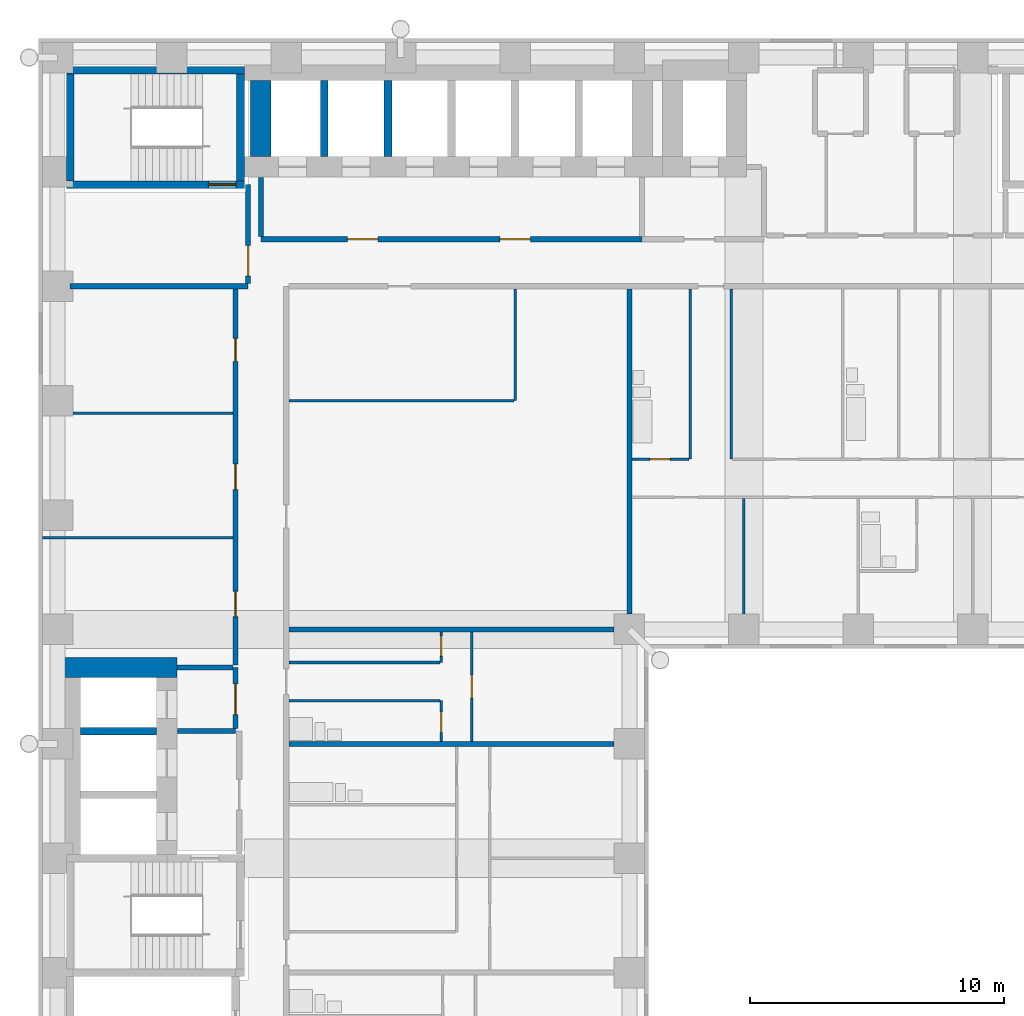
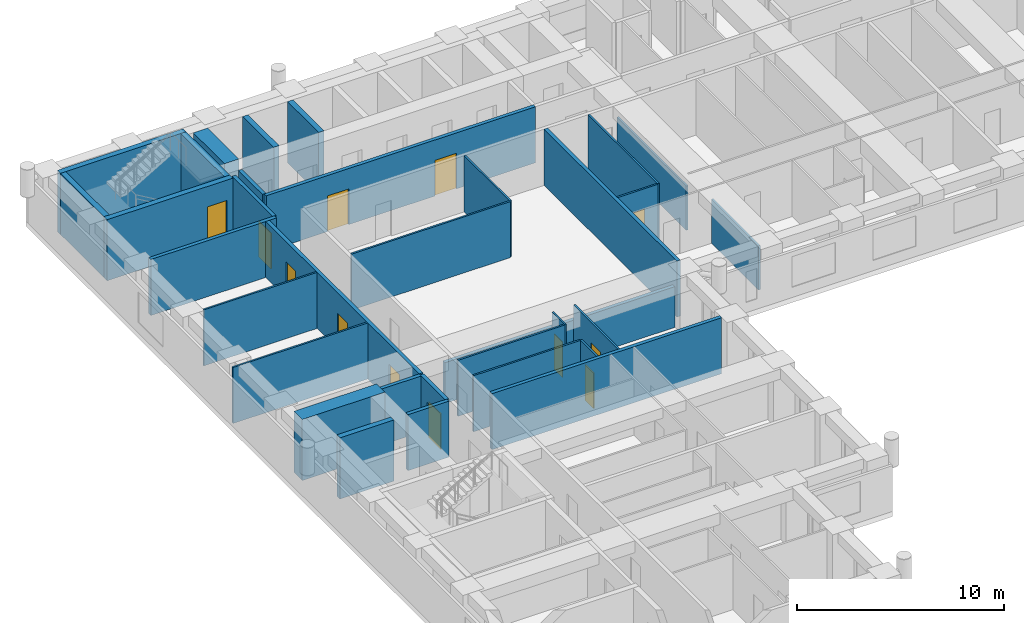
# One storey, part 7 of 14: 33 walls, 12 doors, 12 openings.
"""IFC4 building model written with IfcOpenShell, lengths in metres."""

import ifcopenshell
import ifcopenshell.guid

model = None  # the IFC model being written
_history = None  # IfcOwnerHistory: only IFC2X3 demands one
_inside = {}  # id of a spatial element -> (the spatial element, [elements in it])
_under = {}  # id of a project, library or spatial element -> (it, [spatial elements below it])
_declared = {}  # id of a project -> (the project, [libraries it declares])
_typed = {}  # id of a type object -> (the type object, [elements of that type])
_made_of = {}  # id of a material, layer set ... -> (it, [elements and type objects made of it])


def new_model(schema):
    """Start an empty IFC model of exactly this schema.

    Asked for "IFC4X3", IfcOpenShell would pick the latest addendum, in which some entities
    have other attributes; the version numbers below select the first issue.
    IFC2X3 requires an IfcOwnerHistory on every rooted entity: one is made here for all.
    """
    global model, _history
    if schema == "IFC4X3":
        model = ifcopenshell.file(schema_version=(4, 3, 0, 0))
    else:
        model = ifcopenshell.file(schema=schema)
    _inside.clear()
    _under.clear()
    _declared.clear()
    _typed.clear()
    _made_of.clear()
    _history = None
    if model.schema == "IFC2X3":
        org = make("IfcOrganization", Name="unknown")
        user = make(
            "IfcPersonAndOrganization",
            ThePerson=make("IfcPerson", FamilyName="unknown"),
            TheOrganization=org,
        )
        app = make(
            "IfcApplication",
            ApplicationDeveloper=org,
            Version="unknown",
            ApplicationFullName="unknown",
            ApplicationIdentifier="unknown",
        )
        _history = make(
            "IfcOwnerHistory",
            OwningUser=user,
            OwningApplication=app,
            ChangeAction="ADDED",
            CreationDate=0,
        )
    return model


def make(cls, **values):
    """One entity of the class cls with the attributes given. An attribute that is None is left unset."""
    return model.create_entity(
        cls, **{name: value for name, value in values.items() if value is not None}
    )


def rooted(cls, **values):
    """An entity with a GlobalId (a new one), such as an element, a storey or a relation."""
    return make(cls, GlobalId=ifcopenshell.guid.new(), OwnerHistory=_history, **values)


def si_unit(unit_type, name, prefix=None):
    """IfcSIUnit, for example si_unit("LENGTHUNIT", "METRE", prefix="MILLI")."""
    return make("IfcSIUnit", UnitType=unit_type, Prefix=prefix, Name=name)


def assignment(units):
    """IfcUnitAssignment: the units of a project."""
    return None if units is None else make("IfcUnitAssignment", Units=units)


def point(xyz):
    """IfcCartesianPoint."""
    return None if xyz is None else make("IfcCartesianPoint", Coordinates=xyz)


def direction(xyz):
    """IfcDirection."""
    return None if xyz is None else make("IfcDirection", DirectionRatios=xyz)


def frame(location, z_axis=None, x_axis=None):
    """IfcAxis2Placement3D, a coordinate frame: its origin and axes. An axis left out is left unset."""
    return make(
        "IfcAxis2Placement3D",
        Location=point(location),
        Axis=direction(z_axis),
        RefDirection=direction(x_axis),
    )


def frame_2d(location, x_axis=None):
    """IfcAxis2Placement2D, a coordinate frame in the plane: its origin and x axis."""
    return make(
        "IfcAxis2Placement2D", Location=point(location), RefDirection=direction(x_axis)
    )


def origin():
    """The frame at (0, 0, 0) with its axes left unset."""
    return frame((0.0, 0.0, 0.0))


def place(relative_to, where):
    """IfcLocalPlacement: puts the frame where relative to a parent placement (None: the world)."""
    return make(
        "IfcLocalPlacement", PlacementRelTo=relative_to, RelativePlacement=where
    )


def context(
    kind, dimensions, precision=None, world=None, true_north=None, identifier=None
):
    """IfcGeometricRepresentationContext, for example the 3D "Model" context."""
    return make(
        "IfcGeometricRepresentationContext",
        ContextIdentifier=identifier,
        ContextType=kind,
        CoordinateSpaceDimension=dimensions,
        Precision=precision,
        WorldCoordinateSystem=world,
        TrueNorth=true_north,
    )


def subcontext(parent, identifier, kind, view, scale=None):
    """IfcGeometricRepresentationSubContext, for example "Body" below "Model"."""
    return make(
        "IfcGeometricRepresentationSubContext",
        ContextIdentifier=identifier,
        ContextType=kind,
        ParentContext=parent,
        TargetScale=scale,
        TargetView=view,
    )


def project(units=None, contexts=None):
    """IfcProject with its units and contexts."""
    return rooted(
        "IfcProject",
        Name="project",
        RepresentationContexts=contexts,
        UnitsInContext=assignment(units),
    )


def spatial(cls, under=None, at=None, **own):
    """A site, building, storey or space (cls), placed at a placement, below another one or the project."""
    s = rooted(cls, ObjectPlacement=at, **own)
    if under is not None:
        _under.setdefault(under.id(), (under, []))[1].append(s)
    return s


def profile(cls, at=None, kind="AREA", **sizes):
    """A parametric profile (cls). Its sizes go by their IFC names, for example OverallWidth=200.0."""
    return make(cls, ProfileType=kind, Position=at, **sizes)


def rectangle(**sizes):
    """IfcRectangleProfileDef."""
    return profile("IfcRectangleProfileDef", **sizes)


def extrude(swept, where, along, depth):
    """IfcExtrudedAreaSolid: the profile swept, set in the frame where, extruded along a direction by depth."""
    return make(
        "IfcExtrudedAreaSolid",
        SweptArea=swept,
        Position=where,
        ExtrudedDirection=direction(along),
        Depth=depth,
    )


def shape(context_of_items, identifier, shape_type, items):
    """IfcShapeRepresentation: the items that make up one representation, for example the "Body"."""
    return make(
        "IfcShapeRepresentation",
        ContextOfItems=context_of_items,
        RepresentationIdentifier=identifier,
        RepresentationType=shape_type,
        Items=items,
    )


def material(Name=None, Category=None):
    """IfcMaterial."""
    return make("IfcMaterial", Name=Name, Category=Category)


def layer(
    of_material, thickness, ventilated=None, Name=None, Category=None, Priority=None
):
    """IfcMaterialLayer: one layer of a wall or slab, of a material (None: an air gap)."""
    return make(
        "IfcMaterialLayer",
        Material=of_material,
        LayerThickness=thickness,
        IsVentilated=ventilated,
        Name=Name,
        Category=Category,
        Priority=Priority,
    )


def layer_set(layers, Name=None):
    """IfcMaterialLayerSet."""
    return make("IfcMaterialLayerSet", MaterialLayers=layers, LayerSetName=Name)


def made_of(thing, what):
    """Note that an element or type object is made of a material, layer set ...; save() writes the relation."""
    if what is not None:
        _made_of.setdefault(what.id(), (what, []))[1].append(thing)
    return thing


def type_object(cls, material=None, **own):
    """A type object (cls), such as IfcWallType, which elements share."""
    return made_of(rooted(cls, **own), material)


def element(
    cls,
    number,
    at=None,
    inside=None,
    cuts=None,
    type_object=None,
    material=None,
    context=None,
    identifier="Body",
    shape_type=None,
    held_by="IfcProductDefinitionShape",
    body=None,
    shapes=None,
    **own,
):
    """One element of the class cls, such as IfcWall. Its Tag is "e" and its number.

    at: its placement. inside: the storey or other place that contains it. cuts: it is an
    opening in that element (IfcRelVoidsElement). A single representation is given by context,
    identifier, shape_type and body (its items); several are given by shapes. held_by: the class
    of the entity that holds the representations. save() writes the other relations.
    """
    e = rooted(cls, Tag="e%d" % number, ObjectPlacement=at, **own)
    if body is not None:
        shapes = [shape(context, identifier, shape_type, body)]
    if shapes is not None:
        e.Representation = make(held_by, Representations=shapes)
    if inside is not None:
        _inside.setdefault(inside.id(), (inside, []))[1].append(e)
    if cuts is not None:
        rooted(
            "IfcRelVoidsElement", RelatingBuildingElement=cuts, RelatedOpeningElement=e
        )
    if type_object is not None:
        _typed.setdefault(type_object.id(), (type_object, []))[1].append(e)
    return made_of(e, material)


def fill(opening, filler):
    """IfcRelFillsElement: the door or window that sits in an opening."""
    return rooted(
        "IfcRelFillsElement",
        RelatingOpeningElement=opening,
        RelatedBuildingElement=filler,
    )


def aggregate(whole, parts):
    """IfcRelAggregates: a whole, such as a stair, and the parts it consists of."""
    return rooted("IfcRelAggregates", RelatingObject=whole, RelatedObjects=parts)


def save(model, path):
    """Write the relations noted so far, then the file.

    IfcRelAggregates (storeys below a building ...), IfcRelContainedInSpatialStructure (elements
    in a storey), IfcRelDefinesByType, IfcRelAssociatesMaterial and IfcRelDeclares: one each for
    every whole, place, type object, material and project.
    """
    for whole, parts in _under.values():
        aggregate(whole, parts)
    for where, things in _inside.values():
        rooted(
            "IfcRelContainedInSpatialStructure",
            RelatedElements=things,
            RelatingStructure=where,
        )
    for kind, things in _typed.values():
        rooted("IfcRelDefinesByType", RelatedObjects=things, RelatingType=kind)
    for what, things in _made_of.values():
        rooted("IfcRelAssociatesMaterial", RelatedObjects=things, RelatingMaterial=what)
    for by, libraries in _declared.values():
        rooted("IfcRelDeclares", RelatingContext=by, RelatedDefinitions=libraries)
    model.write(path)


model = new_model("IFC4")

# Units and contexts
model_context = context("Model", 3, precision=1e-05, world=origin(), true_north=direction((0.0, 1.0)))
body_context = subcontext(model_context, "Body", "Model", "MODEL_VIEW")
ifc_project = project(units=[si_unit("LENGTHUNIT", "METRE"), si_unit("AREAUNIT", "SQUARE_METRE"), si_unit("VOLUMEUNIT", "CUBIC_METRE"), si_unit("PLANEANGLEUNIT", "RADIAN"), si_unit("MASSUNIT", "GRAM", prefix="KILO")], contexts=[model_context])

# Site, building, storey
site_placement = place(None, origin())
site = spatial("IfcSite", under=ifc_project, at=site_placement, CompositionType="ELEMENT")
building_placement = place(site_placement, origin())
building = spatial("IfcBuilding", under=site, at=building_placement, Name="Firuza Court", CompositionType="ELEMENT")
storey_placement = place(building_placement, frame((0.0, 0.0, 47.0)))
storey = spatial("IfcBuildingStorey", under=building, at=storey_placement, Name="L10", CompositionType="ELEMENT", Elevation=47.0)

# Walls
ifc_material_1 = material(Name="Moisture-resistant gypsum board partition")
ifc_layer_1 = layer(ifc_material_1, 0.10009765625)
ifc_layer_set_1 = layer_set([ifc_layer_1], Name="Moisture-resistant gypsum board partition")
wall_type_1 = type_object("IfcWallType", Name="Bathroom partition 100", PredefinedType="PLUMBINGWALL", material=ifc_layer_set_1)
wall_1_placement = place(storey_placement, frame((9.10009765625, 33.199951171875, 0.0), z_axis=(0.0, 0.0, 1.0), x_axis=(1.0, 0.0, 0.0)))
element("IfcWall", 1, at=wall_1_placement, inside=storey, type_object=wall_type_1, Name="Bathroom partition 100 L10", PredefinedType="PLUMBINGWALL", context=body_context, shape_type="SweptSolid", body=[
    extrude(rectangle(XDim=5.949951171875, YDim=0.10009765625, at=frame_2d((2.97509765625, 0.0))), origin(), (0.0, 0.0, 1.0), 3.300048828125),
])
wall_2_placement = place(storey_placement, frame((24.89990234375, 42.699951171875, 0.0), z_axis=(0.0, 0.0, 1.0), x_axis=(0.0, 1.0, 0.0)))
element("IfcWall", 2, at=wall_2_placement, inside=storey, type_object=wall_type_1, Name="Bathroom partition 100 L10", PredefinedType="PLUMBINGWALL", context=body_context, shape_type="SweptSolid", body=[
    extrude(rectangle(XDim=6.699951171875, YDim=0.10009765625, at=frame_2d((3.35009765625, 0.0))), origin(), (0.0, 0.0, 1.0), 3.300048828125),
])

# Wall, opening, door
ifc_material_2 = material(Name="Concrete C60/75", Category="concrete")
ifc_layer_2 = layer(ifc_material_2, 0.300048828125)
ifc_layer_set_2 = layer_set([ifc_layer_2], Name="Concrete C60/75")
wall_type_2 = type_object("IfcWallType", Name="Core wall 300 C60/75", PredefinedType="SHEAR", material=ifc_layer_set_2)
wall_3_placement = place(storey_placement, frame((0.35009765625, 53.5, -0.300048828125), z_axis=(0.0, 0.0, 1.0), x_axis=(1.0, 0.0, 0.0)))
wall_3 = element("IfcWall", 3, at=wall_3_placement, inside=storey, type_object=wall_type_2, Name="Core wall stair L10", PredefinedType="SHEAR", context=body_context, shape_type="SweptSolid", body=[
    extrude(rectangle(XDim=7.0, YDim=0.300048828125, at=frame_2d((3.5, 0.0))), origin(), (0.0, 0.0, 1.0), 3.60009765625),
])
opening_1_placement = place(wall_3_placement, frame((5.580078125, 0.0, 0.300048828125)))
opening_1 = element("IfcOpeningElement", 4, at=opening_1_placement, cuts=wall_3, Name="Opening D10016", PredefinedType="OPENING", context=body_context, shape_type="SweptSolid", body=[
    extrude(rectangle(XDim=1.10009765625, YDim=2.10009765625, at=frame_2d((0.550048828125, 1.050048828125))), frame((0.0, 0.162109375, 0.0), z_axis=(0.0, -1.0, 0.0), x_axis=(1.0, 0.0, 0.0)), (0.0, 0.0, 1.0), 0.323974609375),
])
ifc_material_3 = material(Name="Timber door leaf in hardwood frame", Category="wood")
door_type_1 = type_object("IfcDoorType", Name="Stair door 1100", OperationType="SINGLE_SWING_LEFT", PredefinedType="DOOR", material=ifc_material_3)
door_1_placement = place(opening_1_placement, origin())
door_1 = element("IfcDoor", 5, at=door_1_placement, inside=storey, type_object=door_type_1, Name="Stair door S3", OperationType="SINGLE_SWING_RIGHT", OverallHeight=2.10009765625, OverallWidth=1.10009765625, PredefinedType="DOOR", context=body_context, shape_type="SweptSolid", body=[
    extrude(rectangle(XDim=1.10009765625, YDim=2.10009765625, at=frame_2d((0.550048828125, 1.050048828125))), frame((0.0, 0.02490234375, 0.0), z_axis=(0.0, -1.0, 0.0), x_axis=(1.0, 0.0, 0.0)), (0.0, 0.0, 1.0), 0.050048828125),
])
fill(opening_1, door_1)

# Walls
wall_4_placement = place(storey_placement, frame((0.35009765625, 58.0, -0.300048828125), z_axis=(0.0, 0.0, 1.0), x_axis=(1.0, 0.0, 0.0)))
element("IfcWall", 6, at=wall_4_placement, inside=storey, type_object=wall_type_2, Name="Core wall stair L10", PredefinedType="SHEAR", context=body_context, shape_type="SweptSolid", body=[
    extrude(rectangle(XDim=7.0, YDim=0.300048828125, at=frame_2d((3.5, 0.0))), origin(), (0.0, 0.0, 1.0), 3.60009765625),
])
wall_5_placement = place(storey_placement, frame((0.5, 53.64990234375, -0.300048828125), z_axis=(0.0, 0.0, 1.0), x_axis=(0.0, 1.0, 0.0)))
element("IfcWall", 7, at=wall_5_placement, inside=storey, type_object=wall_type_2, Name="Core wall stair L10", PredefinedType="SHEAR", context=body_context, shape_type="SweptSolid", body=[
    extrude(rectangle(XDim=4.2001953125, YDim=0.300048828125, at=frame_2d((2.10009765625, 0.0))), origin(), (0.0, 0.0, 1.0), 3.60009765625),
])
wall_6_placement = place(storey_placement, frame((0.89990234375, 32.0, -0.300048828125), z_axis=(0.0, 0.0, 1.0), x_axis=(1.0, 0.0, 0.0)))
element("IfcWall", 8, at=wall_6_placement, inside=storey, type_object=wall_type_2, Name="Core wall lift shaft L10", PredefinedType="SHEAR", context=body_context, shape_type="SweptSolid", body=[
    extrude(rectangle(XDim=3.0, YDim=0.300048828125, at=frame_2d((1.5, 0.0))), origin(), (0.0, 0.0, 1.0), 3.60009765625),
])
wall_7_placement = place(storey_placement, frame((7.199951171875, 53.64990234375, -0.300048828125), z_axis=(0.0, 0.0, 1.0), x_axis=(0.0, 1.0, 0.0)))
element("IfcWall", 9, at=wall_7_placement, inside=storey, type_object=wall_type_2, Name="Core wall stair L10", PredefinedType="SHEAR", context=body_context, shape_type="SweptSolid", body=[
    extrude(rectangle(XDim=4.2001953125, YDim=0.300048828125, at=frame_2d((2.10009765625, 0.0))), origin(), (0.0, 0.0, 1.0), 3.60009765625),
])
for number, where, z_axis, x_axis, name in (
    (10, (10.5, 54.60009765625, -0.300048828125), (0.0, 0.0, 1.0), (0.0, 1.0, 0.0), "Core wall lift shaft L10"),
    (11, (13.0, 54.60009765625, -0.300048828125), (0.0, 0.0, 1.0), (0.0, 1.0, 0.0), "Core wall lift shaft L10"),
):
    element("IfcWall", number, at=place(storey_placement, frame(where, z_axis=z_axis, x_axis=x_axis)), inside=storey, type_object=wall_type_2, Name=name, PredefinedType="SHEAR", context=body_context, shape_type="SweptSolid", body=[
        extrude(rectangle(XDim=3.0, YDim=0.300048828125, at=frame_2d((1.5, 0.0))), origin(), (0.0, 0.0, 1.0), 3.60009765625),
    ])
ifc_layer_3 = layer(ifc_material_2, 0.800048828125)
ifc_layer_set_3 = layer_set([ifc_layer_3], Name="Concrete C60/75")
wall_type_3 = type_object("IfcWallType", Name="Core wall 800 C60/75", PredefinedType="SHEAR", material=ifc_layer_set_3)
wall_8_placement = place(storey_placement, frame((0.10009765625, 34.5, -0.300048828125), z_axis=(0.0, 0.0, 1.0), x_axis=(1.0, 0.0, 0.0)))
element("IfcWall", 12, at=wall_8_placement, inside=storey, type_object=wall_type_3, Name="Core wall lift shaft L10", PredefinedType="SHEAR", context=body_context, shape_type="SweptSolid", body=[
    extrude(rectangle(XDim=4.599853515625, YDim=0.800048828125, at=frame_2d((2.2998046875, 0.0))), origin(), (0.0, 0.0, 1.0), 3.60009765625),
])
wall_9_placement = place(storey_placement, frame((8.0, 54.60009765625, -0.300048828125), z_axis=(0.0, 0.0, 1.0), x_axis=(0.0, 1.0, 0.0)))
element("IfcWall", 13, at=wall_9_placement, inside=storey, type_object=wall_type_3, Name="Core wall lift shaft L10", PredefinedType="SHEAR", context=body_context, shape_type="SweptSolid", body=[
    extrude(rectangle(XDim=3.0, YDim=0.800048828125, at=frame_2d((1.5, 0.0))), origin(), (0.0, 0.0, 1.0), 3.60009765625),
])

# Wall, openings, doors
ifc_material_4 = material(Name="Blockwork, plastered both sides", Category="masonry")
ifc_layer_4 = layer(ifc_material_4, 0.199951171875)
ifc_layer_set_4 = layer_set([ifc_layer_4], Name="Blockwork, plastered both sides")
wall_type_4 = type_object("IfcWallType", Name="Corridor wall 200", PredefinedType="PARTITIONING", material=ifc_layer_set_4)
wall_10_placement = place(storey_placement, frame((7.0, 34.60009765625, 0.0), z_axis=(0.0, 0.0, 1.0), x_axis=(0.0, 1.0, 0.0)))
wall_10 = element("IfcWall", 14, at=wall_10_placement, inside=storey, type_object=wall_type_4, Name="Corridor wall 200 L10", PredefinedType="PARTITIONING", context=body_context, shape_type="SweptSolid", body=[
    extrude(rectangle(XDim=14.7998046875, YDim=0.199951171875, at=frame_2d((7.39990234375, 0.0))), origin(), (0.0, 0.0, 1.0), 3.300048828125),
])
opening_2_placement = place(wall_10_placement, frame((1.89990234375, 0.0, 0.0)))
opening_2 = element("IfcOpeningElement", 15, at=opening_2_placement, cuts=wall_10, Name="Opening D10039", PredefinedType="OPENING", context=body_context, shape_type="SweptSolid", body=[
    extrude(rectangle(XDim=1.0, YDim=2.10009765625, at=frame_2d((0.5, 1.050048828125))), frame((0.0, 0.11181640625, 0.0), z_axis=(0.0, -1.0, 0.0), x_axis=(1.0, 0.0, 0.0)), (0.0, 0.0, 1.0), 0.223876953125),
])
opening_3_placement = place(wall_10_placement, frame((6.89990234375, 0.0, 0.0)))
opening_3 = element("IfcOpeningElement", 16, at=opening_3_placement, cuts=wall_10, Name="Opening D10040", PredefinedType="OPENING", context=body_context, shape_type="SweptSolid", body=[
    extrude(rectangle(XDim=1.0, YDim=2.10009765625, at=frame_2d((0.5, 1.050048828125))), frame((0.0, 0.11181640625, 0.0), z_axis=(0.0, -1.0, 0.0), x_axis=(1.0, 0.0, 0.0)), (0.0, 0.0, 1.0), 0.223876953125),
])
opening_4_placement = place(wall_10_placement, frame((11.949951171875, 0.0, 0.0)))
opening_4 = element("IfcOpeningElement", 17, at=opening_4_placement, cuts=wall_10, Name="Opening D10041", PredefinedType="OPENING", context=body_context, shape_type="SweptSolid", body=[
    extrude(rectangle(XDim=0.89990234375, YDim=2.10009765625, at=frame_2d((0.449951171875, 1.050048828125))), frame((0.0, 0.11181640625, 0.0), z_axis=(0.0, -1.0, 0.0), x_axis=(1.0, 0.0, 0.0)), (0.0, 0.0, 1.0), 0.223876953125),
])
ifc_material_5 = material(Name="Timber door leaf in hardwood frame", Category="wood")
door_type_2 = type_object("IfcDoorType", Name="Room door 900 EI 30", OperationType="SINGLE_SWING_LEFT", PredefinedType="DOOR", material=ifc_material_5)
door_2_placement = place(opening_4_placement, origin())
door_2 = element("IfcDoor", 18, at=door_2_placement, inside=storey, type_object=door_type_2, Name="Meeting room door", OperationType="SINGLE_SWING_LEFT", OverallHeight=2.10009765625, OverallWidth=0.89990234375, PredefinedType="DOOR", context=body_context, shape_type="SweptSolid", body=[
    extrude(rectangle(XDim=0.89990234375, YDim=2.10009765625, at=frame_2d((0.449951171875, 1.050048828125))), frame((0.0, 0.02490234375, 0.0), z_axis=(0.0, -1.0, 0.0), x_axis=(1.0, 0.0, 0.0)), (0.0, 0.0, 1.0), 0.050048828125),
])
fill(opening_4, door_2)
ifc_material_6 = material(Name="Timber door leaf in hardwood frame", Category="wood")
door_type_3 = type_object("IfcDoorType", Name="Store door 1000", OperationType="SINGLE_SWING_LEFT", PredefinedType="DOOR", material=ifc_material_6)
door_3_placement = place(opening_2_placement, origin())
door_3 = element("IfcDoor", 19, at=door_3_placement, inside=storey, type_object=door_type_3, Name="Comms room door", OperationType="SINGLE_SWING_LEFT", OverallHeight=2.10009765625, OverallWidth=1.0, PredefinedType="DOOR", context=body_context, shape_type="SweptSolid", body=[
    extrude(rectangle(XDim=1.0, YDim=2.10009765625, at=frame_2d((0.5, 1.050048828125))), frame((0.0, 0.02490234375, 0.0), z_axis=(0.0, -1.0, 0.0), x_axis=(1.0, 0.0, 0.0)), (0.0, 0.0, 1.0), 0.050048828125),
])
fill(opening_2, door_3)
door_4_placement = place(opening_3_placement, origin())
door_4 = element("IfcDoor", 20, at=door_4_placement, inside=storey, type_object=door_type_3, Name="Bicycle store door", OperationType="SINGLE_SWING_LEFT", OverallHeight=2.10009765625, OverallWidth=1.0, PredefinedType="DOOR", context=body_context, shape_type="SweptSolid", body=[
    extrude(rectangle(XDim=1.0, YDim=2.10009765625, at=frame_2d((0.5, 1.050048828125))), frame((0.0, 0.02490234375, 0.0), z_axis=(0.0, -1.0, 0.0), x_axis=(1.0, 0.0, 0.0)), (0.0, 0.0, 1.0), 0.050048828125),
])
fill(opening_3, door_4)

# Wall, opening, door
ifc_material_7 = material(Name="Timber stud partition, plasterboard both sides", Category="wood")
ifc_layer_5 = layer(ifc_material_7, 0.10009765625)
ifc_layer_set_5 = layer_set([ifc_layer_5], Name="Timber stud partition, plasterboard both sides")
wall_type_5 = type_object("IfcWallType", Name="Partition wall 100", PredefinedType="PARTITIONING", material=ifc_layer_set_5)
wall_11_placement = place(storey_placement, frame((15.10009765625, 31.60009765625, 0.0), z_axis=(0.0, 0.0, 1.0), x_axis=(0.0, 1.0, 0.0)))
wall_11 = element("IfcWall", 21, at=wall_11_placement, inside=storey, type_object=wall_type_5, Name="Partition wall 100 L10", PredefinedType="PARTITIONING", context=body_context, shape_type="SweptSolid", body=[
    extrude(rectangle(XDim=1.599853515625, YDim=0.10009765625, at=frame_2d((0.7998046875, 0.0))), origin(), (0.0, 0.0, 1.0), 3.300048828125),
])
opening_5_placement = place(wall_11_placement, frame((0.35009765625, 0.0, 0.0)))
opening_5 = element("IfcOpeningElement", 22, at=opening_5_placement, cuts=wall_11, Name="Opening D10037", PredefinedType="OPENING", context=body_context, shape_type="SweptSolid", body=[
    extrude(rectangle(XDim=0.800048828125, YDim=2.10009765625, at=frame_2d((0.39990234375, 1.050048828125))), frame((0.0, 0.06201171875, 0.0), z_axis=(0.0, -1.0, 0.0), x_axis=(1.0, 0.0, 0.0)), (0.0, 0.0, 1.0), 0.1240234375),
])
ifc_material_8 = material(Name="Timber door leaf in hardwood frame", Category="wood")
door_type_4 = type_object("IfcDoorType", Name="Bathroom door 800", OperationType="SINGLE_SWING_LEFT", PredefinedType="DOOR", material=ifc_material_8)
door_5_placement = place(opening_5_placement, origin())
door_5 = element("IfcDoor", 23, at=door_5_placement, inside=storey, type_object=door_type_4, Name="Bathroom door", OperationType="SINGLE_SWING_LEFT", OverallHeight=2.10009765625, OverallWidth=0.800048828125, PredefinedType="DOOR", context=body_context, shape_type="SweptSolid", body=[
    extrude(rectangle(XDim=0.800048828125, YDim=2.10009765625, at=frame_2d((0.39990234375, 1.050048828125))), frame((0.0, 0.02490234375, 0.0), z_axis=(0.0, -1.0, 0.0), x_axis=(1.0, 0.0, 0.0)), (0.0, 0.0, 1.0), 0.050048828125),
])
fill(opening_5, door_5)

wall_12_placement = place(storey_placement, frame((16.300048828125, 31.60009765625, 0.0), z_axis=(0.0, 0.0, 1.0), x_axis=(0.0, 1.0, 0.0)))
wall_12 = element("IfcWall", 24, at=wall_12_placement, inside=storey, type_object=wall_type_5, Name="Partition wall 100 L10", PredefinedType="PARTITIONING", context=body_context, shape_type="SweptSolid", body=[
    extrude(rectangle(XDim=4.2998046875, YDim=0.10009765625, at=frame_2d((2.14990234375, 0.0))), origin(), (0.0, 0.0, 1.0), 3.300048828125),
])
opening_6_placement = place(wall_12_placement, frame((1.699951171875, 0.0, 0.0)))
opening_6 = element("IfcOpeningElement", 25, at=opening_6_placement, cuts=wall_12, Name="Opening D10038", PredefinedType="OPENING", context=body_context, shape_type="SweptSolid", body=[
    extrude(rectangle(XDim=0.89990234375, YDim=2.10009765625, at=frame_2d((0.449951171875, 1.050048828125))), frame((0.0, 0.06201171875, 0.0), z_axis=(0.0, -1.0, 0.0), x_axis=(1.0, 0.0, 0.0)), (0.0, 0.0, 1.0), 0.1240234375),
])
ifc_material_9 = material(Name="Timber door leaf in hardwood frame", Category="wood")
door_type_5 = type_object("IfcDoorType", Name="Room door 900", OperationType="SINGLE_SWING_LEFT", PredefinedType="DOOR", material=ifc_material_9)
door_6_placement = place(opening_6_placement, frame((0.89990234375, 0.0, 0.0), z_axis=(0.0, 0.0, 1.0), x_axis=(-1.0, 0.0, 0.0)))
door_6 = element("IfcDoor", 26, at=door_6_placement, inside=storey, type_object=door_type_5, Name="Studio room door", OperationType="SINGLE_SWING_RIGHT", OverallHeight=2.10009765625, OverallWidth=0.89990234375, PredefinedType="DOOR", context=body_context, shape_type="SweptSolid", body=[
    extrude(rectangle(XDim=0.89990234375, YDim=2.10009765625, at=frame_2d((0.449951171875, 1.050048828125))), frame((0.0, 0.02490234375, 0.0), z_axis=(0.0, -1.0, 0.0), x_axis=(1.0, 0.0, 0.0)), (0.0, 0.0, 1.0), 0.050048828125),
])
fill(opening_6, door_6)

# Wall
wall_13_placement = place(storey_placement, frame((9.10009765625, 34.699951171875, 0.0), z_axis=(0.0, 0.0, 1.0), x_axis=(1.0, 0.0, 0.0)))
element("IfcWall", 27, at=wall_13_placement, inside=storey, type_object=wall_type_5, Name="Partition wall 100 L10", PredefinedType="PARTITIONING", context=body_context, shape_type="SweptSolid", body=[
    extrude(rectangle(XDim=5.949951171875, YDim=0.10009765625, at=frame_2d((2.97509765625, 0.0))), origin(), (0.0, 0.0, 1.0), 3.300048828125),
])

# Wall, opening, door
wall_14_placement = place(storey_placement, frame((15.10009765625, 34.699951171875, 0.0), z_axis=(0.0, 0.0, 1.0), x_axis=(0.0, 1.0, 0.0)))
wall_14 = element("IfcWall", 28, at=wall_14_placement, inside=storey, type_object=wall_type_5, Name="Partition wall 100 L10", PredefinedType="PARTITIONING", context=body_context, shape_type="SweptSolid", body=[
    extrude(rectangle(XDim=1.199951171875, YDim=0.10009765625, at=frame_2d((0.60009765625, 0.0))), origin(), (0.0, 0.0, 1.0), 3.300048828125),
])
opening_7_placement = place(wall_14_placement, frame((0.25, 0.0, 0.0)))
opening_7 = element("IfcOpeningElement", 29, at=opening_7_placement, cuts=wall_14, Name="Opening D10042", PredefinedType="OPENING", context=body_context, shape_type="SweptSolid", body=[
    extrude(rectangle(XDim=0.800048828125, YDim=2.10009765625, at=frame_2d((0.39990234375, 1.050048828125))), frame((0.0, 0.06201171875, 0.0), z_axis=(0.0, -1.0, 0.0), x_axis=(1.0, 0.0, 0.0)), (0.0, 0.0, 1.0), 0.1240234375),
])
ifc_material_10 = material(Name="Timber door leaf in hardwood frame", Category="wood")
door_type_6 = type_object("IfcDoorType", Name="Room door 800", OperationType="SINGLE_SWING_LEFT", PredefinedType="DOOR", material=ifc_material_10)
door_7_placement = place(opening_7_placement, origin())
door_7 = element("IfcDoor", 30, at=door_7_placement, inside=storey, type_object=door_type_6, Name="Kitchen door", OperationType="SINGLE_SWING_LEFT", OverallHeight=2.10009765625, OverallWidth=0.800048828125, PredefinedType="DOOR", context=body_context, shape_type="SweptSolid", body=[
    extrude(rectangle(XDim=0.800048828125, YDim=2.10009765625, at=frame_2d((0.39990234375, 1.050048828125))), frame((0.0, 0.02490234375, 0.0), z_axis=(0.0, -1.0, 0.0), x_axis=(1.0, 0.0, 0.0)), (0.0, 0.0, 1.0), 0.050048828125),
])
fill(opening_7, door_7)

# Walls
wall_15_placement = place(storey_placement, frame((27.0, 36.60009765625, 0.0), z_axis=(0.0, 0.0, 1.0), x_axis=(0.0, 1.0, 0.0)))
element("IfcWall", 31, at=wall_15_placement, inside=storey, type_object=wall_type_5, Name="Partition wall 100 L10", PredefinedType="PARTITIONING", context=body_context, shape_type="SweptSolid", body=[
    extrude(rectangle(XDim=4.5498046875, YDim=0.10009765625, at=frame_2d((2.27490234375, 0.0))), origin(), (0.0, 0.0, 1.0), 2.60009765625),
])
wall_16_placement = place(storey_placement, frame((-0.60009765625, 39.60009765625, 0.0), z_axis=(0.0, 0.0, 1.0), x_axis=(1.0, 0.0, 0.0)))
element("IfcWall", 32, at=wall_16_placement, inside=storey, type_object=wall_type_5, Name="Partition wall 100 L10", PredefinedType="PARTITIONING", context=body_context, shape_type="SweptSolid", body=[
    extrude(rectangle(XDim=7.5, YDim=0.10009765625, at=frame_2d((3.75, 0.0))), origin(), (0.0, 0.0, 1.0), 3.300048828125),
])

# Wall, opening, door
wall_17_placement = place(storey_placement, frame((22.60009765625, 42.699951171875, 0.0), z_axis=(0.0, 0.0, 1.0), x_axis=(1.0, 0.0, 0.0)))
wall_17 = element("IfcWall", 33, at=wall_17_placement, inside=storey, type_object=wall_type_5, Name="Partition wall 100 L10", PredefinedType="PARTITIONING", context=body_context, shape_type="SweptSolid", body=[
    extrude(rectangle(XDim=2.25, YDim=0.10009765625, at=frame_2d((1.125, 0.0))), origin(), (0.0, 0.0, 1.0), 3.300048828125),
])
opening_8_placement = place(wall_17_placement, frame((0.699951171875, 0.0, 0.0)))
opening_8 = element("IfcOpeningElement", 34, at=opening_8_placement, cuts=wall_17, Name="Opening D10054", PredefinedType="OPENING", context=body_context, shape_type="SweptSolid", body=[
    extrude(rectangle(XDim=0.800048828125, YDim=2.10009765625, at=frame_2d((0.39990234375, 1.050048828125))), frame((0.0, 0.06201171875, 0.0), z_axis=(0.0, -1.0, 0.0), x_axis=(1.0, 0.0, 0.0)), (0.0, 0.0, 1.0), 0.1240234375),
])
door_8_placement = place(opening_8_placement, origin())
door_8 = element("IfcDoor", 35, at=door_8_placement, inside=storey, type_object=door_type_4, Name="Bathroom door", OperationType="SINGLE_SWING_LEFT", OverallHeight=2.10009765625, OverallWidth=0.800048828125, PredefinedType="DOOR", context=body_context, shape_type="SweptSolid", body=[
    extrude(rectangle(XDim=0.800048828125, YDim=2.10009765625, at=frame_2d((0.39990234375, 1.050048828125))), frame((0.0, 0.02490234375, 0.0), z_axis=(0.0, -1.0, 0.0), x_axis=(1.0, 0.0, 0.0)), (0.0, 0.0, 1.0), 0.050048828125),
])
fill(opening_8, door_8)

# Walls
wall_18_placement = place(storey_placement, frame((26.5, 42.699951171875, 0.0), z_axis=(0.0, 0.0, 1.0), x_axis=(0.0, 1.0, 0.0)))
element("IfcWall", 36, at=wall_18_placement, inside=storey, type_object=wall_type_5, Name="Partition wall 100 L10", PredefinedType="PARTITIONING", context=body_context, shape_type="SweptSolid", body=[
    extrude(rectangle(XDim=6.699951171875, YDim=0.10009765625, at=frame_2d((3.35009765625, 0.0))), origin(), (0.0, 0.0, 1.0), 2.60009765625),
])
wall_19_placement = place(storey_placement, frame((0.60009765625, 44.5, 0.0), z_axis=(0.0, 0.0, 1.0), x_axis=(1.0, 0.0, 0.0)))
element("IfcWall", 37, at=wall_19_placement, inside=storey, type_object=wall_type_5, Name="Partition wall 100 L10", PredefinedType="PARTITIONING", context=body_context, shape_type="SweptSolid", body=[
    extrude(rectangle(XDim=6.2998046875, YDim=0.10009765625, at=frame_2d((3.14990234375, 0.0))), origin(), (0.0, 0.0, 1.0), 3.300048828125),
])
wall_20_placement = place(storey_placement, frame((9.10009765625, 45.0, 0.0), z_axis=(0.0, 0.0, 1.0), x_axis=(1.0, 0.0, 0.0)))
element("IfcWall", 38, at=wall_20_placement, inside=storey, type_object=wall_type_5, Name="Partition wall 100 L10", PredefinedType="PARTITIONING", context=body_context, shape_type="SweptSolid", body=[
    extrude(rectangle(XDim=8.849853515625, YDim=0.10009765625, at=frame_2d((4.4248046875, 0.0))), origin(), (0.0, 0.0, 1.0), 3.300048828125),
])
wall_21_placement = place(storey_placement, frame((18.0, 45.0, 0.0), z_axis=(0.0, 0.0, 1.0), x_axis=(0.0, 1.0, 0.0)))
element("IfcWall", 39, at=wall_21_placement, inside=storey, type_object=wall_type_5, Name="Partition wall 100 L10", PredefinedType="PARTITIONING", context=body_context, shape_type="SweptSolid", body=[
    extrude(rectangle(XDim=4.39990234375, YDim=0.10009765625, at=frame_2d((2.199951171875, 0.0))), origin(), (0.0, 0.0, 1.0), 3.300048828125),
])
ifc_layer_6 = layer(ifc_material_4, 0.199951171875)
ifc_layer_set_6 = layer_set([ifc_layer_6], Name="Blockwork, plastered both sides")
wall_type_6 = type_object("IfcWallType", Name="Party wall 200", PredefinedType="PARTITIONING", material=ifc_layer_set_6)
wall_22_placement = place(storey_placement, frame((9.10009765625, 31.5, 0.0), z_axis=(0.0, 0.0, 1.0), x_axis=(1.0, 0.0, 0.0)))
element("IfcWall", 40, at=wall_22_placement, inside=storey, type_object=wall_type_6, Name="Party wall 200 L10", PredefinedType="PARTITIONING", context=body_context, shape_type="SweptSolid", body=[
    extrude(rectangle(XDim=12.7998046875, YDim=0.199951171875, at=frame_2d((6.39990234375, 0.0))), origin(), (0.0, 0.0, 1.0), 3.300048828125),
])
wall_23_placement = place(storey_placement, frame((9.10009765625, 36.0, 0.0), z_axis=(0.0, 0.0, 1.0), x_axis=(1.0, 0.0, 0.0)))
element("IfcWall", 41, at=wall_23_placement, inside=storey, type_object=wall_type_6, Name="Party wall 200 L10", PredefinedType="PARTITIONING", context=body_context, shape_type="SweptSolid", body=[
    extrude(rectangle(XDim=12.7998046875, YDim=0.199951171875, at=frame_2d((6.39990234375, 0.0))), origin(), (0.0, 0.0, 1.0), 2.39990234375),
])
wall_24_placement = place(storey_placement, frame((22.5, 36.60009765625, 0.0), z_axis=(0.0, 0.0, 1.0), x_axis=(0.0, 1.0, 0.0)))
element("IfcWall", 42, at=wall_24_placement, inside=storey, type_object=wall_type_6, Name="Party wall 200 L10", PredefinedType="PARTITIONING", context=body_context, shape_type="SweptSolid", body=[
    extrude(rectangle(XDim=12.7998046875, YDim=0.199951171875, at=frame_2d((6.39990234375, 0.0))), origin(), (0.0, 0.0, 1.0), 3.300048828125),
])

# Wall, openings, doors
ifc_material_11 = material(Name="Blockwork, fire-rated", Category="masonry")
ifc_layer_7 = layer(ifc_material_11, 0.199951171875)
ifc_layer_set_7 = layer_set([ifc_layer_7], Name="Blockwork, fire-rated")
wall_type_7 = type_object("IfcWallType", Name="Shaft wall 200", PredefinedType="PARTITIONING", material=ifc_layer_set_7)
wall_25_placement = place(storey_placement, frame((8.0, 51.35009765625, 0.0), z_axis=(0.0, 0.0, 1.0), x_axis=(1.0, 0.0, 0.0)))
wall_25 = element("IfcWall", 43, at=wall_25_placement, inside=storey, type_object=wall_type_7, Name="Shaft wall 200 L10", PredefinedType="PARTITIONING", context=body_context, shape_type="SweptSolid", body=[
    extrude(rectangle(XDim=15.0, YDim=0.199951171875, at=frame_2d((7.5, 0.0))), origin(), (0.0, 0.0, 1.0), 3.300048828125),
])
opening_9_placement = place(wall_25_placement, frame((3.39990234375, 0.0, 0.0)))
opening_9 = element("IfcOpeningElement", 44, at=opening_9_placement, cuts=wall_25, Name="Opening D10004", PredefinedType="OPENING", context=body_context, shape_type="SweptSolid", body=[
    extrude(rectangle(XDim=1.199951171875, YDim=2.10009765625, at=frame_2d((0.60009765625, 1.050048828125))), frame((0.0, 0.11181640625, 0.0), z_axis=(0.0, -1.0, 0.0), x_axis=(1.0, 0.0, 0.0)), (0.0, 0.0, 1.0), 0.223876953125),
])
opening_10_placement = place(wall_25_placement, frame((9.39990234375, 0.0, 0.0)))
opening_10 = element("IfcOpeningElement", 45, at=opening_10_placement, cuts=wall_25, Name="Opening D10005", PredefinedType="OPENING", context=body_context, shape_type="SweptSolid", body=[
    extrude(rectangle(XDim=1.199951171875, YDim=2.10009765625, at=frame_2d((0.60009765625, 1.050048828125))), frame((0.0, 0.11181640625, 0.0), z_axis=(0.0, -1.0, 0.0), x_axis=(1.0, 0.0, 0.0)), (0.0, 0.0, 1.0), 0.223876953125),
])
ifc_material_12 = material(Name="Timber door leaf in hardwood frame", Category="wood")
door_type_7 = type_object("IfcDoorType", Name="Lobby door 1200", OperationType="SINGLE_SWING_LEFT", PredefinedType="DOOR", material=ifc_material_12)
door_9_placement = place(opening_9_placement, origin())
door_9 = element("IfcDoor", 46, at=door_9_placement, inside=storey, type_object=door_type_7, Name="Lobby door", OperationType="SINGLE_SWING_LEFT", OverallHeight=2.10009765625, OverallWidth=1.199951171875, PredefinedType="DOOR", context=body_context, shape_type="SweptSolid", body=[
    extrude(rectangle(XDim=1.199951171875, YDim=2.10009765625, at=frame_2d((0.60009765625, 1.050048828125))), frame((0.0, 0.02490234375, 0.0), z_axis=(0.0, -1.0, 0.0), x_axis=(1.0, 0.0, 0.0)), (0.0, 0.0, 1.0), 0.050048828125),
])
fill(opening_9, door_9)
door_10_placement = place(opening_10_placement, origin())
door_10 = element("IfcDoor", 47, at=door_10_placement, inside=storey, type_object=door_type_7, Name="Lobby door", OperationType="SINGLE_SWING_RIGHT", OverallHeight=2.10009765625, OverallWidth=1.199951171875, PredefinedType="DOOR", context=body_context, shape_type="SweptSolid", body=[
    extrude(rectangle(XDim=1.199951171875, YDim=2.10009765625, at=frame_2d((0.60009765625, 1.050048828125))), frame((0.0, 0.02490234375, 0.0), z_axis=(0.0, -1.0, 0.0), x_axis=(1.0, 0.0, 0.0)), (0.0, 0.0, 1.0), 0.050048828125),
])
fill(opening_10, door_10)

# Walls
wall_26_placement = place(storey_placement, frame((8.0, 51.449951171875, 0.0), z_axis=(0.0, 0.0, 1.0), x_axis=(0.0, 1.0, 0.0)))
element("IfcWall", 48, at=wall_26_placement, inside=storey, type_object=wall_type_7, Name="Shaft wall 200 L10", PredefinedType="PARTITIONING", context=body_context, shape_type="SweptSolid", body=[
    extrude(rectangle(XDim=2.330078125, YDim=0.199951171875, at=frame_2d((1.1650390625, 0.0))), origin(), (0.0, 0.0, 1.0), 3.300048828125),
])
wall_27_placement = place(storey_placement, frame((4.719970703125, 32.0, 0.0), z_axis=(0.0, 0.0, 1.0), x_axis=(1.0, 0.0, 0.0)))
element("IfcWall", 49, at=wall_27_placement, inside=storey, type_object=wall_type_7, Name="Shaft wall 200 L10", PredefinedType="PARTITIONING", context=body_context, shape_type="SweptSolid", body=[
    extrude(rectangle(XDim=2.280029296875, YDim=0.199951171875, at=frame_2d((1.14013671875, 0.0))), origin(), (0.0, 0.0, 1.0), 3.300048828125),
])

# Wall, opening, door
wall_28_placement = place(storey_placement, frame((7.0, 32.10009765625, 0.0), z_axis=(0.0, 0.0, 1.0), x_axis=(0.0, 1.0, 0.0)))
wall_28 = element("IfcWall", 50, at=wall_28_placement, inside=storey, type_object=wall_type_7, Name="Shaft wall 200 L10", PredefinedType="PARTITIONING", context=body_context, shape_type="SweptSolid", body=[
    extrude(rectangle(XDim=2.39990234375, YDim=0.199951171875, at=frame_2d((1.199951171875, 0.0))), origin(), (0.0, 0.0, 1.0), 3.300048828125),
])
opening_11_placement = place(wall_28_placement, frame((0.550048828125, 0.0, 0.0)))
opening_11 = element("IfcOpeningElement", 51, at=opening_11_placement, cuts=wall_28, Name="Opening D10008", PredefinedType="OPENING", context=body_context, shape_type="SweptSolid", body=[
    extrude(rectangle(XDim=1.199951171875, YDim=2.10009765625, at=frame_2d((0.60009765625, 1.050048828125))), frame((0.0, 0.11181640625, 0.0), z_axis=(0.0, -1.0, 0.0), x_axis=(1.0, 0.0, 0.0)), (0.0, 0.0, 1.0), 0.223876953125),
])
door_11_placement = place(opening_11_placement, origin())
door_11 = element("IfcDoor", 52, at=door_11_placement, inside=storey, type_object=door_type_7, Name="Lobby door", OperationType="SINGLE_SWING_LEFT", OverallHeight=2.10009765625, OverallWidth=1.199951171875, PredefinedType="DOOR", context=body_context, shape_type="SweptSolid", body=[
    extrude(rectangle(XDim=1.199951171875, YDim=2.10009765625, at=frame_2d((0.60009765625, 1.050048828125))), frame((0.0, 0.02490234375, 0.0), z_axis=(0.0, -1.0, 0.0), x_axis=(1.0, 0.0, 0.0)), (0.0, 0.0, 1.0), 0.050048828125),
])
fill(opening_11, door_11)

# Walls
wall_29_placement = place(storey_placement, frame((4.699951171875, 34.5, 0.0), z_axis=(0.0, 0.0, 1.0), x_axis=(1.0, 0.0, 0.0)))
element("IfcWall", 53, at=wall_29_placement, inside=storey, type_object=wall_type_7, Name="Shaft wall 200 L10", PredefinedType="PARTITIONING", context=body_context, shape_type="SweptSolid", body=[
    extrude(rectangle(XDim=2.199951171875, YDim=0.199951171875, at=frame_2d((1.10009765625, 0.0))), origin(), (0.0, 0.0, 1.0), 3.300048828125),
])
wall_30_placement = place(storey_placement, frame((0.5, 49.5, 0.0), z_axis=(0.0, 0.0, 1.0), x_axis=(1.0, 0.0, 0.0)))
element("IfcWall", 54, at=wall_30_placement, inside=storey, type_object=wall_type_7, Name="Shaft wall 200 L10", PredefinedType="PARTITIONING", context=body_context, shape_type="SweptSolid", body=[
    extrude(rectangle(XDim=7.0, YDim=0.199951171875, at=frame_2d((3.5, 0.0))), origin(), (0.0, 0.0, 1.0), 3.300048828125),
])

# Wall, opening, door
wall_31_placement = place(storey_placement, frame((7.5, 49.60009765625, 0.0), z_axis=(0.0, 0.0, 1.0), x_axis=(0.0, 1.0, 0.0)))
wall_31 = element("IfcWall", 55, at=wall_31_placement, inside=storey, type_object=wall_type_7, Name="Shaft wall 200 L10", PredefinedType="PARTITIONING", context=body_context, shape_type="SweptSolid", body=[
    extrude(rectangle(XDim=3.89990234375, YDim=0.199951171875, at=frame_2d((1.949951171875, 0.0))), origin(), (0.0, 0.0, 1.0), 3.300048828125),
])
opening_12_placement = place(wall_31_placement, frame((0.300048828125, 0.0, 0.0)))
opening_12 = element("IfcOpeningElement", 56, at=opening_12_placement, cuts=wall_31, Name="Opening D10001", PredefinedType="OPENING", context=body_context, shape_type="SweptSolid", body=[
    extrude(rectangle(XDim=1.199951171875, YDim=2.10009765625, at=frame_2d((0.60009765625, 1.050048828125))), frame((0.0, 0.11181640625, 0.0), z_axis=(0.0, -1.0, 0.0), x_axis=(1.0, 0.0, 0.0)), (0.0, 0.0, 1.0), 0.223876953125),
])
door_12_placement = place(opening_12_placement, origin())
door_12 = element("IfcDoor", 57, at=door_12_placement, inside=storey, type_object=door_type_7, Name="Lobby door", OperationType="SINGLE_SWING_LEFT", OverallHeight=2.10009765625, OverallWidth=1.199951171875, PredefinedType="DOOR", context=body_context, shape_type="SweptSolid", body=[
    extrude(rectangle(XDim=1.199951171875, YDim=2.10009765625, at=frame_2d((0.60009765625, 1.050048828125))), frame((0.0, 0.02490234375, 0.0), z_axis=(0.0, -1.0, 0.0), x_axis=(1.0, 0.0, 0.0)), (0.0, 0.0, 1.0), 0.050048828125),
])
fill(opening_12, door_12)

save(model, "model.ifc")
